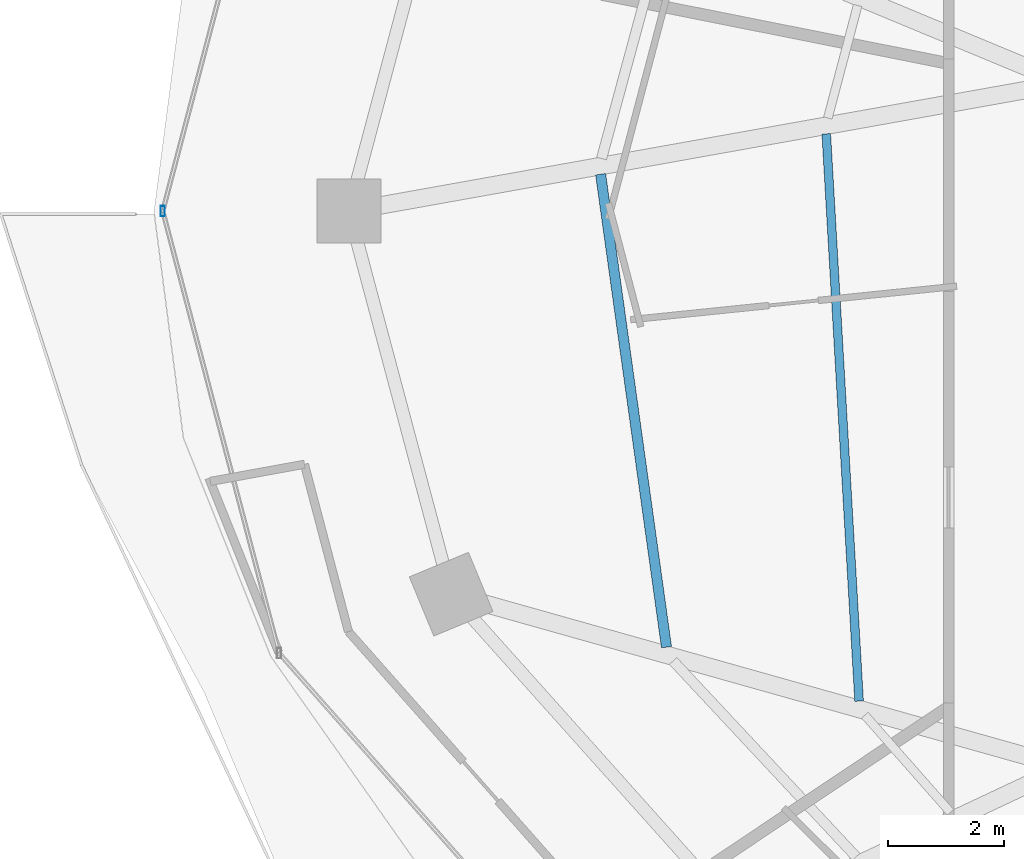
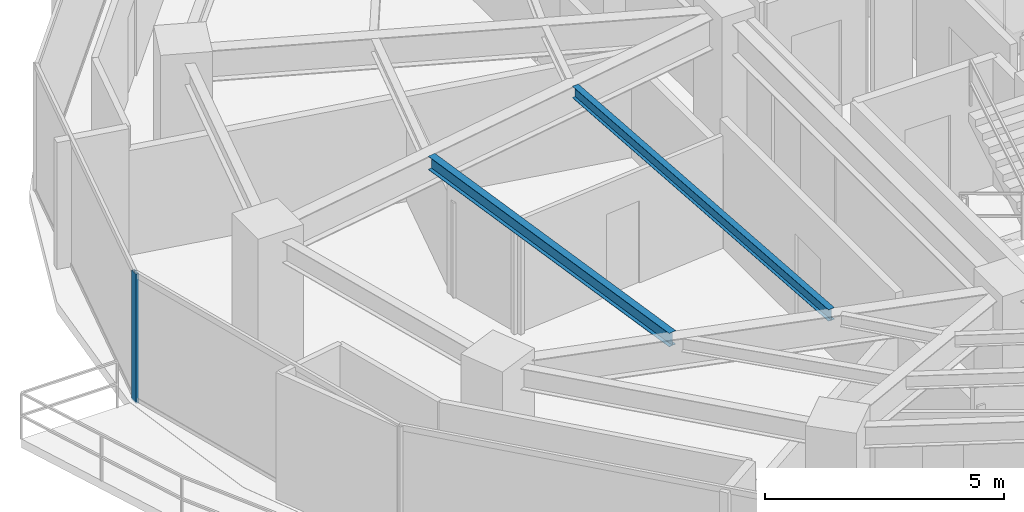
# One storey, part 7 of 30: 2 beams, 1 member, 1 element without a shape of its own.
"""IFC4 building model written with IfcOpenShell, lengths in metres."""

from ifc_helpers import new_model, si_unit, direction, frame, origin, origin_2d, place, context, subcontext, project, spatial, hollow_rectangle, i_section, extrude, material, material_profile, profile_set, type_object, element, aggregate, save


model = new_model("IFC4")

# Units and contexts
model_context = context("Model", 3, precision=1e-05, world=origin(), true_north=direction((0.0, 1.0)))
body_context = subcontext(model_context, "Body", "Model", "MODEL_VIEW")
ifc_project = project(units=[si_unit("LENGTHUNIT", "METRE"), si_unit("AREAUNIT", "SQUARE_METRE"), si_unit("VOLUMEUNIT", "CUBIC_METRE"), si_unit("PLANEANGLEUNIT", "RADIAN"), si_unit("MASSUNIT", "GRAM", prefix="KILO")], contexts=[model_context])

# Site, building, storey
site_placement = place(None, origin())
site = spatial("IfcSite", under=ifc_project, at=site_placement, CompositionType="ELEMENT")
building_placement = place(site_placement, origin())
building = spatial("IfcBuilding", under=site, at=building_placement, Name="Vorneva Point Tower", CompositionType="ELEMENT")
storey_placement = place(building_placement, frame((0.0, 0.0, 78.800048828125)))
storey = spatial("IfcBuildingStorey", under=building, at=storey_placement, Name="L20", CompositionType="ELEMENT", Elevation=78.800048828125)

# Beams
ifc_material_1 = material(Name="Steel S355", Category="steel")
ifc_material_profile_1 = material_profile(ifc_material_1, i_section(OverallWidth=0.14892578125, OverallDepth=0.298095703125, WebThickness=0.005615234375, FlangeThickness=0.008056640625, at=origin_2d()), Name="30B1")
ifc_profile_set_1 = profile_set([ifc_material_profile_1], Name="Steel S355")
beam_type_1 = type_object("IfcBeamType", Name="BM-JST-30B1", PredefinedType="JOIST", material=ifc_profile_set_1)
beam_1_placement = place(storey_placement, frame((23.1494140625, 27.327392578125, 3.091064453125), z_axis=(0.057791133112, -0.998328695838, 0.0), x_axis=(0.998328695838, 0.057791133112, 0.0)))
element("IfcBeam", 1, at=beam_1_placement, inside=storey, type_object=beam_type_1, Name="L20 Secondary Floor Beam 2.09", PredefinedType="JOIST", context=body_context, shape_type="SweptSolid", body=[
    extrude(i_section(OverallWidth=0.14892578125, OverallDepth=0.298095703125, WebThickness=0.005615234375, FlangeThickness=0.008056640625, at=origin_2d()), origin(), (0.0, 0.0, 1.0), 9.762939453125),
])
ifc_material_profile_2 = material_profile(ifc_material_1, i_section(OverallWidth=0.174072265625, OverallDepth=0.345947265625, WebThickness=0.006103515625, FlangeThickness=0.009033203125, at=origin_2d()), Name="35B1")
ifc_profile_set_2 = profile_set([ifc_material_profile_2], Name="Steel S355")
beam_type_2 = type_object("IfcBeamType", Name="BM-SEC-35B1", PredefinedType="BEAM", material=ifc_profile_set_2)
beam_2_placement = place(storey_placement, frame((19.2724609375, 26.633056640625, 3.06689453125), z_axis=(0.137995762833, -0.990432819246, 0.0), x_axis=(0.990432819246, 0.137995762833, 0.0)))
element("IfcBeam", 2, at=beam_2_placement, inside=storey, type_object=beam_type_2, Name="L20 Secondary Floor Beam 1.09", PredefinedType="BEAM", context=body_context, shape_type="SweptSolid", body=[
    extrude(i_section(OverallWidth=0.174072265625, OverallDepth=0.345947265625, WebThickness=0.006103515625, FlangeThickness=0.009033203125, at=origin_2d()), origin(), (0.0, 0.0, 1.0), 8.20361328125),
])

# Curtain wall, member
ifc_material_2 = material(Name="Pale anodised aluminium", Category="aluminium")
curtain_wall_type = type_object("IfcCurtainWallType", Name="CW-HTL-SYS", PredefinedType="NOTDEFINED", material=ifc_material_2)
curtain_wall_placement = place(storey_placement, origin())
curtain_wall = element("IfcCurtainWall", 3, at=curtain_wall_placement, inside=storey, type_object=curtain_wall_type, Name="L20 Unitised Curtain Wall CW-L20-R02", PredefinedType="NOTDEFINED")
ifc_material_profile_3 = material_profile(ifc_material_2, hollow_rectangle(XDim=0.074951171875, YDim=0.179931640625, WallThickness=0.00390625, at=origin_2d()), Name="AL-MUL 180x75x4")
ifc_profile_set_3 = profile_set([ifc_material_profile_3], Name="Pale anodised aluminium")
member_type = type_object("IfcMemberType", Name="CW-MUL-180", PredefinedType="MULLION", material=ifc_profile_set_3)
member_placement = place(storey_placement, frame((11.75, 26.0, -0.0400390625), z_axis=(0.0, 0.0, 1.0), x_axis=(1.0, 0.0, 0.0)))
member = element("IfcMember", 4, at=member_placement, type_object=member_type, Name="CW-L20-R02 Mullion 03", PredefinedType="MULLION", context=body_context, shape_type="SweptSolid", body=[
    extrude(hollow_rectangle(XDim=0.074951171875, YDim=0.179931640625, WallThickness=0.00390625, at=origin_2d()), origin(), (0.0, 0.0, 1.0), 3.31005859375),
])
aggregate(curtain_wall, [member])

save(model, "model.ifc")
